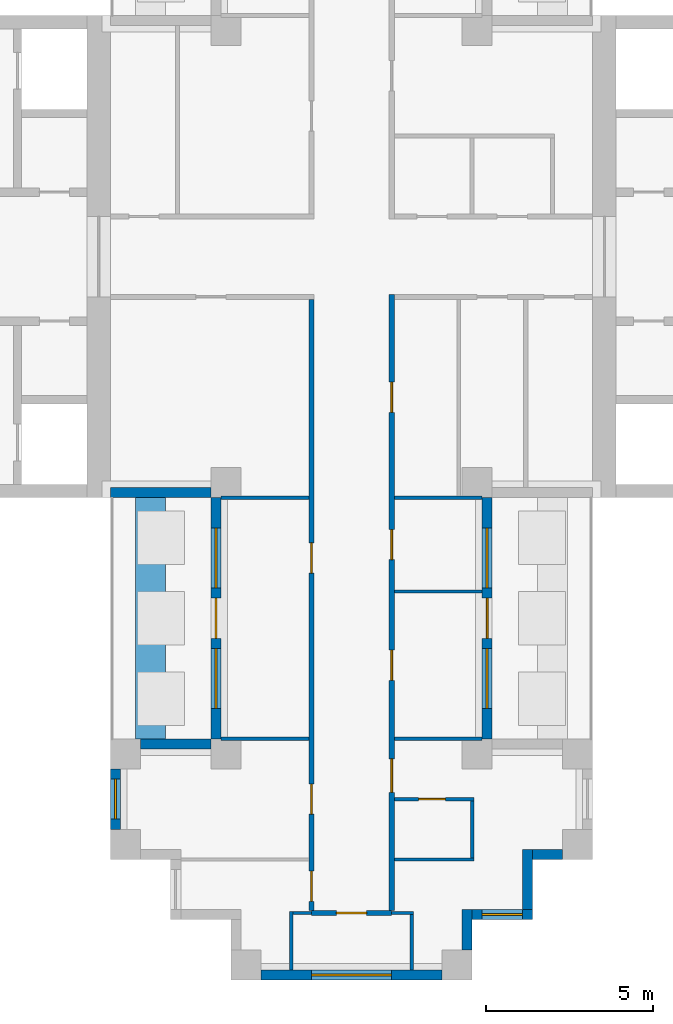
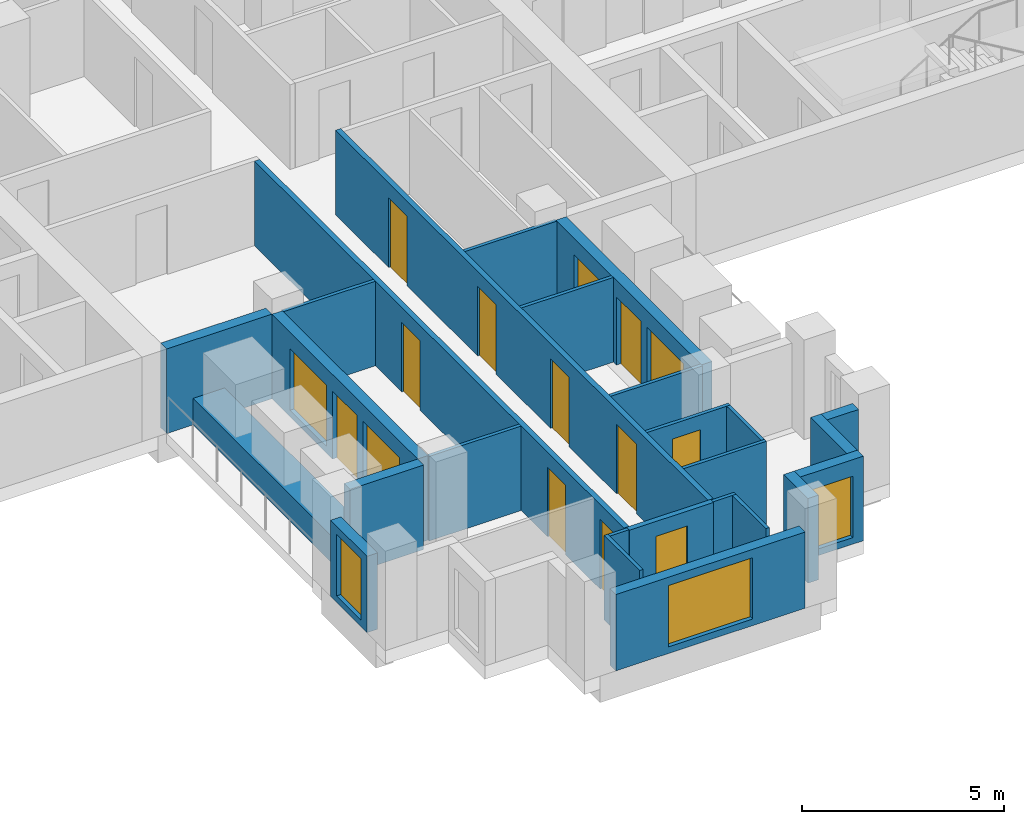
# One storey, part 4 of 10: 26 walls, 11 doors, 7 windows, 18 openings.
"""IFC4 building model written with IfcOpenShell, lengths in metres."""

from ifc_helpers import new_model, si_unit, direction, frame, frame_2d, origin, place, context, subcontext, project, spatial, rectangle, extrude, material, layer, layer_set, type_object, element, fill, save


model = new_model("IFC4")

# Units and contexts
model_context = context("Model", 3, precision=1e-05, world=origin(), true_north=direction((0.0, 1.0)))
body_context = subcontext(model_context, "Body", "Model", "MODEL_VIEW")
ifc_project = project(units=[si_unit("LENGTHUNIT", "METRE"), si_unit("AREAUNIT", "SQUARE_METRE"), si_unit("VOLUMEUNIT", "CUBIC_METRE"), si_unit("PLANEANGLEUNIT", "RADIAN"), si_unit("MASSUNIT", "GRAM", prefix="KILO")], contexts=[model_context])

# Site, building, storey
site_placement = place(None, origin())
site = spatial("IfcSite", under=ifc_project, at=site_placement, CompositionType="ELEMENT")
building_placement = place(site_placement, origin())
building = spatial("IfcBuilding", under=site, at=building_placement, Name="Fustian Cross Tower", CompositionType="ELEMENT")
storey_placement = place(building_placement, frame((0.0, 0.0, 191.699951171875)))
storey = spatial("IfcBuildingStorey", under=building, at=storey_placement, Name="L60", CompositionType="ELEMENT", Elevation=191.699951171875)

# Wall, openings, doors
ifc_material_1 = material(Name="Plasterboard on steel stud", Category="steel")
ifc_layer_1 = layer(ifc_material_1, 0.14990234375)
ifc_layer_set_1 = layer_set([ifc_layer_1], Name="Plasterboard on steel stud")
wall_type_1 = type_object("IfcWallType", Name="COMPARTMENT WALL 150 EI 60", PredefinedType="PARTITIONING", material=ifc_layer_set_1)
wall_1_placement = place(storey_placement, frame((-1.199951171875, -19.52490234375, 0.0), z_axis=(0.0, 0.0, 1.0), x_axis=(0.0, 1.0, 0.0)))
wall_1 = element("IfcWall", 1, at=wall_1_placement, inside=storey, type_object=wall_type_1, Name="Partition 27", PredefinedType="PARTITIONING", context=body_context, shape_type="SweptSolid", body=[
    extrude(rectangle(XDim=18.25, YDim=0.14990234375, at=frame_2d((9.125, 0.0))), origin(), (0.0, 0.0, 1.0), 2.550048828125),
])
opening_1_placement = place(wall_1_placement, frame((10.074951171875, 0.0, 0.0)))
opening_1 = element("IfcOpeningElement", 2, at=opening_1_placement, cuts=wall_1, Name="Opening D27037", PredefinedType="OPENING", context=body_context, shape_type="SweptSolid", body=[
    extrude(rectangle(XDim=0.89990234375, YDim=2.10009765625, at=frame_2d((0.449951171875, 1.050048828125))), frame((0.0, 0.0849609375, 0.0), z_axis=(0.0, -1.0, 0.0), x_axis=(1.0, 0.0, 0.0)), (0.0, 0.0, 1.0), 0.169921875),
])
opening_2_placement = place(wall_1_placement, frame((2.875, 0.0, 0.0)))
opening_2 = element("IfcOpeningElement", 3, at=opening_2_placement, cuts=wall_1, Name="Opening D27038", PredefinedType="OPENING", context=body_context, shape_type="SweptSolid", body=[
    extrude(rectangle(XDim=0.89990234375, YDim=2.10009765625, at=frame_2d((0.449951171875, 1.050048828125))), frame((0.0, 0.0849609375, 0.0), z_axis=(0.0, -1.0, 0.0), x_axis=(1.0, 0.0, 0.0)), (0.0, 0.0, 1.0), 0.169921875),
])
opening_3_placement = place(wall_1_placement, frame((0.27490234375, 0.0, 0.0)))
opening_3 = element("IfcOpeningElement", 4, at=opening_3_placement, cuts=wall_1, Name="Opening D27039", PredefinedType="OPENING", context=body_context, shape_type="SweptSolid", body=[
    extrude(rectangle(XDim=0.89990234375, YDim=2.10009765625, at=frame_2d((0.449951171875, 1.050048828125))), frame((0.0, 0.0849609375, 0.0), z_axis=(0.0, -1.0, 0.0), x_axis=(1.0, 0.0, 0.0)), (0.0, 0.0, 1.0), 0.169921875),
])
ifc_material_2 = material(Name="Timber fire door set", Category="wood")
door_type_1 = type_object("IfcDoorType", Name="FIRE SWING DOOR 900 FD30S", OperationType="SINGLE_SWING_LEFT", PredefinedType="DOOR", material=ifc_material_2)
door_1_placement = place(opening_1_placement, origin())
door_1 = element("IfcDoor", 5, at=door_1_placement, inside=storey, type_object=door_type_1, Name="Door D27037", OperationType="SINGLE_SWING_RIGHT", OverallHeight=2.10009765625, OverallWidth=0.89990234375, PredefinedType="DOOR", context=body_context, shape_type="SweptSolid", body=[
    extrude(rectangle(XDim=0.89990234375, YDim=2.10009765625, at=frame_2d((0.449951171875, 1.050048828125))), frame((0.0, 0.02490234375, 0.0), z_axis=(0.0, -1.0, 0.0), x_axis=(1.0, 0.0, 0.0)), (0.0, 0.0, 1.0), 0.050048828125),
])
fill(opening_1, door_1)
door_2_placement = place(opening_2_placement, origin())
door_2 = element("IfcDoor", 6, at=door_2_placement, inside=storey, type_object=door_type_1, Name="Door D27038", OperationType="SINGLE_SWING_LEFT", OverallHeight=2.10009765625, OverallWidth=0.89990234375, PredefinedType="DOOR", context=body_context, shape_type="SweptSolid", body=[
    extrude(rectangle(XDim=0.89990234375, YDim=2.10009765625, at=frame_2d((0.449951171875, 1.050048828125))), frame((0.0, 0.02490234375, 0.0), z_axis=(0.0, -1.0, 0.0), x_axis=(1.0, 0.0, 0.0)), (0.0, 0.0, 1.0), 0.050048828125),
])
fill(opening_2, door_2)
door_3_placement = place(opening_3_placement, origin())
door_3 = element("IfcDoor", 7, at=door_3_placement, inside=storey, type_object=door_type_1, Name="Door D27039", OperationType="SINGLE_SWING_LEFT", OverallHeight=2.10009765625, OverallWidth=0.89990234375, PredefinedType="DOOR", context=body_context, shape_type="SweptSolid", body=[
    extrude(rectangle(XDim=0.89990234375, YDim=2.10009765625, at=frame_2d((0.449951171875, 1.050048828125))), frame((0.0, 0.02490234375, 0.0), z_axis=(0.0, -1.0, 0.0), x_axis=(1.0, 0.0, 0.0)), (0.0, 0.0, 1.0), 0.050048828125),
])
fill(opening_3, door_3)

# Wall, opening, door
wall_2_placement = place(storey_placement, frame((-1.199951171875, -19.60009765625, 0.0), z_axis=(0.0, 0.0, 1.0), x_axis=(1.0, 0.0, 0.0)))
wall_2 = element("IfcWall", 8, at=wall_2_placement, inside=storey, type_object=wall_type_1, Name="Partition 28", PredefinedType="PARTITIONING", context=body_context, shape_type="SweptSolid", body=[
    extrude(rectangle(XDim=2.39990234375, YDim=0.14990234375, at=frame_2d((1.199951171875, 0.0))), origin(), (0.0, 0.0, 1.0), 2.550048828125),
])
opening_4_placement = place(wall_2_placement, frame((0.75, 0.0, 0.0)))
opening_4 = element("IfcOpeningElement", 9, at=opening_4_placement, cuts=wall_2, Name="Opening D27032", PredefinedType="OPENING", context=body_context, shape_type="SweptSolid", body=[
    extrude(rectangle(XDim=0.89990234375, YDim=2.10009765625, at=frame_2d((0.449951171875, 1.050048828125))), frame((0.0, 0.0849609375, 0.0), z_axis=(0.0, -1.0, 0.0), x_axis=(1.0, 0.0, 0.0)), (0.0, 0.0, 1.0), 0.169921875),
])
door_4_placement = place(opening_4_placement, frame((0.89990234375, 0.0, 0.0), z_axis=(0.0, 0.0, 1.0), x_axis=(-1.0, 0.0, 0.0)))
door_4 = element("IfcDoor", 10, at=door_4_placement, inside=storey, type_object=door_type_1, Name="Door D27032", OperationType="SINGLE_SWING_RIGHT", OverallHeight=2.10009765625, OverallWidth=0.89990234375, PredefinedType="DOOR", context=body_context, shape_type="SweptSolid", body=[
    extrude(rectangle(XDim=0.89990234375, YDim=2.10009765625, at=frame_2d((0.449951171875, 1.050048828125))), frame((0.0, 0.02490234375, 0.0), z_axis=(0.0, -1.0, 0.0), x_axis=(1.0, 0.0, 0.0)), (0.0, 0.0, 1.0), 0.050048828125),
])
fill(opening_4, door_4)

# Wall, openings, doors
wall_3_placement = place(storey_placement, frame((1.199951171875, -19.52490234375, 0.0), z_axis=(0.0, 0.0, 1.0), x_axis=(0.0, 1.0, 0.0)))
wall_3 = element("IfcWall", 11, at=wall_3_placement, inside=storey, type_object=wall_type_1, Name="Partition 31", PredefinedType="PARTITIONING", context=body_context, shape_type="SweptSolid", body=[
    extrude(rectangle(XDim=18.39990234375, YDim=0.14990234375, at=frame_2d((9.199951171875, 0.0))), origin(), (0.0, 0.0, 1.0), 2.550048828125),
])
opening_5_placement = place(wall_3_placement, frame((14.875, 0.0, 0.0)))
opening_5 = element("IfcOpeningElement", 12, at=opening_5_placement, cuts=wall_3, Name="Opening D27006", PredefinedType="OPENING", context=body_context, shape_type="SweptSolid", body=[
    extrude(rectangle(XDim=0.89990234375, YDim=2.10009765625, at=frame_2d((0.449951171875, 1.050048828125))), frame((0.0, 0.0849609375, 0.0), z_axis=(0.0, -1.0, 0.0), x_axis=(1.0, 0.0, 0.0)), (0.0, 0.0, 1.0), 0.169921875),
])
opening_6_placement = place(wall_3_placement, frame((10.47509765625, 0.0, 0.0)))
opening_6 = element("IfcOpeningElement", 13, at=opening_6_placement, cuts=wall_3, Name="Opening D27033", PredefinedType="OPENING", context=body_context, shape_type="SweptSolid", body=[
    extrude(rectangle(XDim=0.89990234375, YDim=2.10009765625, at=frame_2d((0.449951171875, 1.050048828125))), frame((0.0, 0.0849609375, 0.0), z_axis=(0.0, -1.0, 0.0), x_axis=(1.0, 0.0, 0.0)), (0.0, 0.0, 1.0), 0.169921875),
])
opening_7_placement = place(wall_3_placement, frame((6.875, 0.0, 0.0)))
opening_7 = element("IfcOpeningElement", 14, at=opening_7_placement, cuts=wall_3, Name="Opening D27034", PredefinedType="OPENING", context=body_context, shape_type="SweptSolid", body=[
    extrude(rectangle(XDim=0.89990234375, YDim=2.10009765625, at=frame_2d((0.449951171875, 1.050048828125))), frame((0.0, 0.0849609375, 0.0), z_axis=(0.0, -1.0, 0.0), x_axis=(1.0, 0.0, 0.0)), (0.0, 0.0, 1.0), 0.169921875),
])
opening_8_placement = place(wall_3_placement, frame((3.52490234375, 0.0, 0.0)))
opening_8 = element("IfcOpeningElement", 15, at=opening_8_placement, cuts=wall_3, Name="Opening D27036", PredefinedType="OPENING", context=body_context, shape_type="SweptSolid", body=[
    extrude(rectangle(XDim=1.0, YDim=2.10009765625, at=frame_2d((0.5, 1.050048828125))), frame((0.0, 0.0849609375, 0.0), z_axis=(0.0, -1.0, 0.0), x_axis=(1.0, 0.0, 0.0)), (0.0, 0.0, 1.0), 0.169921875),
])
ifc_material_3 = material(Name="Timber fire door set", Category="wood")
door_type_2 = type_object("IfcDoorType", Name="FIRE SWING DOOR 1000 FD30S", OperationType="SINGLE_SWING_LEFT", PredefinedType="DOOR", material=ifc_material_3)
door_5_placement = place(opening_8_placement, frame((1.0, 0.0, 0.0), z_axis=(0.0, 0.0, 1.0), x_axis=(-1.0, 0.0, 0.0)))
door_5 = element("IfcDoor", 16, at=door_5_placement, inside=storey, type_object=door_type_2, Name="Door D27036", OperationType="SINGLE_SWING_RIGHT", OverallHeight=2.10009765625, OverallWidth=1.0, PredefinedType="DOOR", context=body_context, shape_type="SweptSolid", body=[
    extrude(rectangle(XDim=1.0, YDim=2.10009765625, at=frame_2d((0.5, 1.050048828125))), frame((0.0, 0.02490234375, 0.0), z_axis=(0.0, -1.0, 0.0), x_axis=(1.0, 0.0, 0.0)), (0.0, 0.0, 1.0), 0.050048828125),
])
fill(opening_8, door_5)
door_6_placement = place(opening_5_placement, frame((0.89990234375, 0.0, 0.0), z_axis=(0.0, 0.0, 1.0), x_axis=(-1.0, 0.0, 0.0)))
door_6 = element("IfcDoor", 17, at=door_6_placement, inside=storey, type_object=door_type_1, Name="Door D27006", OperationType="SINGLE_SWING_RIGHT", OverallHeight=2.10009765625, OverallWidth=0.89990234375, PredefinedType="DOOR", context=body_context, shape_type="SweptSolid", body=[
    extrude(rectangle(XDim=0.89990234375, YDim=2.10009765625, at=frame_2d((0.449951171875, 1.050048828125))), frame((0.0, 0.02490234375, 0.0), z_axis=(0.0, -1.0, 0.0), x_axis=(1.0, 0.0, 0.0)), (0.0, 0.0, 1.0), 0.050048828125),
])
fill(opening_5, door_6)
door_7_placement = place(opening_6_placement, frame((0.89990234375, 0.0, 0.0), z_axis=(0.0, 0.0, 1.0), x_axis=(-1.0, 0.0, 0.0)))
door_7 = element("IfcDoor", 18, at=door_7_placement, inside=storey, type_object=door_type_1, Name="Door D27033", OperationType="SINGLE_SWING_RIGHT", OverallHeight=2.10009765625, OverallWidth=0.89990234375, PredefinedType="DOOR", context=body_context, shape_type="SweptSolid", body=[
    extrude(rectangle(XDim=0.89990234375, YDim=2.10009765625, at=frame_2d((0.449951171875, 1.050048828125))), frame((0.0, 0.02490234375, 0.0), z_axis=(0.0, -1.0, 0.0), x_axis=(1.0, 0.0, 0.0)), (0.0, 0.0, 1.0), 0.050048828125),
])
fill(opening_6, door_7)
door_8_placement = place(opening_7_placement, frame((0.89990234375, 0.0, 0.0), z_axis=(0.0, 0.0, 1.0), x_axis=(-1.0, 0.0, 0.0)))
door_8 = element("IfcDoor", 19, at=door_8_placement, inside=storey, type_object=door_type_1, Name="Door D27034", OperationType="SINGLE_SWING_RIGHT", OverallHeight=2.10009765625, OverallWidth=0.89990234375, PredefinedType="DOOR", context=body_context, shape_type="SweptSolid", body=[
    extrude(rectangle(XDim=0.89990234375, YDim=2.10009765625, at=frame_2d((0.449951171875, 1.050048828125))), frame((0.0, 0.02490234375, 0.0), z_axis=(0.0, -1.0, 0.0), x_axis=(1.0, 0.0, 0.0)), (0.0, 0.0, 1.0), 0.050048828125),
])
fill(opening_7, door_8)

# Walls
ifc_material_4 = material(Name="Plasterboard on steel stud", Category="steel")
ifc_layer_2 = layer(ifc_material_4, 0.10009765625)
ifc_layer_set_2 = layer_set([ifc_layer_2], Name="Plasterboard on steel stud")
wall_type_2 = type_object("IfcWallType", Name="PARTITION 100 STUD", PredefinedType="PARTITIONING", material=ifc_layer_set_2)
for number, where, z_axis, x_axis, name in (
    (20, (-3.89990234375, -14.39990234375, 0.0), (0.0, 0.0, 1.0), (1.0, 0.0, 0.0), "Partition 19"),
    (21, (-3.89990234375, -7.199951171875, 0.0), (0.0, 0.0, 1.0), (1.0, 0.0, 0.0), "Partition 20"),
):
    element("IfcWall", number, at=place(storey_placement, frame(where, z_axis=z_axis, x_axis=x_axis)), inside=storey, type_object=wall_type_2, Name=name, PredefinedType="PARTITIONING", context=body_context, shape_type="SweptSolid", body=[
        extrude(rectangle(XDim=2.625, YDim=0.10009765625, at=frame_2d((1.3125, 0.0))), origin(), (0.0, 0.0, 1.0), 2.550048828125),
    ])
wall_4_placement = place(storey_placement, frame((-1.800048828125, -21.300048828125, 0.0), z_axis=(0.0, 0.0, 1.0), x_axis=(0.0, 1.0, 0.0)))
element("IfcWall", 22, at=wall_4_placement, inside=storey, type_object=wall_type_2, Name="Partition 23", PredefinedType="PARTITIONING", context=body_context, shape_type="SweptSolid", body=[
    extrude(rectangle(XDim=1.75, YDim=0.10009765625, at=frame_2d((0.875, 0.0))), origin(), (0.0, 0.0, 1.0), 2.550048828125),
])
wall_5_placement = place(storey_placement, frame((-1.75, -19.60009765625, 0.0), z_axis=(0.0, 0.0, 1.0), x_axis=(1.0, 0.0, 0.0)))
element("IfcWall", 23, at=wall_5_placement, inside=storey, type_object=wall_type_2, Name="Partition 24", PredefinedType="PARTITIONING", context=body_context, shape_type="SweptSolid", body=[
    extrude(rectangle(XDim=0.550048828125, YDim=0.10009765625, at=frame_2d((0.27490234375, 0.0))), origin(), (0.0, 0.0, 1.0), 2.550048828125),
])
wall_6_placement = place(storey_placement, frame((1.199951171875, -19.60009765625, 0.0), z_axis=(0.0, 0.0, 1.0), x_axis=(1.0, 0.0, 0.0)))
element("IfcWall", 24, at=wall_6_placement, inside=storey, type_object=wall_type_2, Name="Partition 32", PredefinedType="PARTITIONING", context=body_context, shape_type="SweptSolid", body=[
    extrude(rectangle(XDim=0.650146484375, YDim=0.10009765625, at=frame_2d((0.3251953125, 0.0))), origin(), (0.0, 0.0, 1.0), 2.550048828125),
])
wall_7_placement = place(storey_placement, frame((1.27490234375, -18.0, 0.0), z_axis=(0.0, 0.0, 1.0), x_axis=(1.0, 0.0, 0.0)))
element("IfcWall", 25, at=wall_7_placement, inside=storey, type_object=wall_type_2, Name="Partition 33", PredefinedType="PARTITIONING", context=body_context, shape_type="SweptSolid", body=[
    extrude(rectangle(XDim=2.375, YDim=0.10009765625, at=frame_2d((1.1875, 0.0))), origin(), (0.0, 0.0, 1.0), 2.550048828125),
])

# Wall, opening, door
wall_8_placement = place(storey_placement, frame((1.27490234375, -16.199951171875, 0.0), z_axis=(0.0, 0.0, 1.0), x_axis=(1.0, 0.0, 0.0)))
wall_8 = element("IfcWall", 26, at=wall_8_placement, inside=storey, type_object=wall_type_2, Name="Partition 34", PredefinedType="PARTITIONING", context=body_context, shape_type="SweptSolid", body=[
    extrude(rectangle(XDim=2.375, YDim=0.10009765625, at=frame_2d((1.1875, 0.0))), origin(), (0.0, 0.0, 1.0), 2.550048828125),
])
opening_9_placement = place(wall_8_placement, frame((0.72509765625, 0.0, 0.0)))
opening_9 = element("IfcOpeningElement", 27, at=opening_9_placement, cuts=wall_8, Name="Opening D27035", PredefinedType="OPENING", context=body_context, shape_type="SweptSolid", body=[
    extrude(rectangle(XDim=0.800048828125, YDim=2.10009765625, at=frame_2d((0.39990234375, 1.050048828125))), frame((0.0, 0.06005859375, 0.0), z_axis=(0.0, -1.0, 0.0), x_axis=(1.0, 0.0, 0.0)), (0.0, 0.0, 1.0), 0.1201171875),
])
ifc_material_5 = material(Name="Painted timber", Category="wood")
door_type_3 = type_object("IfcDoorType", Name="SWING DOOR 800", OperationType="SINGLE_SWING_LEFT", PredefinedType="DOOR", material=ifc_material_5)
door_9_placement = place(opening_9_placement, frame((0.800048828125, 0.0, 0.0), z_axis=(0.0, 0.0, 1.0), x_axis=(-1.0, 0.0, 0.0)))
door_9 = element("IfcDoor", 28, at=door_9_placement, inside=storey, type_object=door_type_3, Name="Door D27035", OperationType="SINGLE_SWING_RIGHT", OverallHeight=2.10009765625, OverallWidth=0.800048828125, PredefinedType="DOOR", context=body_context, shape_type="SweptSolid", body=[
    extrude(rectangle(XDim=0.800048828125, YDim=2.10009765625, at=frame_2d((0.39990234375, 1.050048828125))), frame((0.0, 0.02490234375, 0.0), z_axis=(0.0, -1.0, 0.0), x_axis=(1.0, 0.0, 0.0)), (0.0, 0.0, 1.0), 0.050048828125),
])
fill(opening_9, door_9)

# Walls
for number, where, z_axis, x_axis, name in (
    (29, (1.27490234375, -14.39990234375, 0.0), (0.0, 0.0, 1.0), (1.0, 0.0, 0.0), "Partition 35"),
    (30, (1.27490234375, -10.0, 0.0), (0.0, 0.0, 1.0), (1.0, 0.0, 0.0), "Partition 36"),
    (31, (1.27490234375, -7.199951171875, 0.0), (0.0, 0.0, 1.0), (1.0, 0.0, 0.0), "Partition 37"),
):
    element("IfcWall", number, at=place(storey_placement, frame(where, z_axis=z_axis, x_axis=x_axis)), inside=storey, type_object=wall_type_2, Name=name, PredefinedType="PARTITIONING", context=body_context, shape_type="SweptSolid", body=[
        extrude(rectangle(XDim=2.625, YDim=0.10009765625, at=frame_2d((1.3125, 0.0))), origin(), (0.0, 0.0, 1.0), 2.550048828125),
    ])
wall_9_placement = place(storey_placement, frame((1.800048828125, -21.300048828125, 0.0), z_axis=(0.0, 0.0, 1.0), x_axis=(0.0, 1.0, 0.0)))
element("IfcWall", 32, at=wall_9_placement, inside=storey, type_object=wall_type_2, Name="Partition 47", PredefinedType="PARTITIONING", context=body_context, shape_type="SweptSolid", body=[
    extrude(rectangle(XDim=1.650146484375, YDim=0.10009765625, at=frame_2d((0.8251953125, 0.0))), origin(), (0.0, 0.0, 1.0), 2.550048828125),
])
wall_10_placement = place(storey_placement, frame((3.60009765625, -17.949951171875, 0.0), z_axis=(0.0, 0.0, 1.0), x_axis=(0.0, 1.0, 0.0)))
element("IfcWall", 33, at=wall_10_placement, inside=storey, type_object=wall_type_2, Name="Partition 50", PredefinedType="PARTITIONING", context=body_context, shape_type="SweptSolid", body=[
    extrude(rectangle(XDim=1.699951171875, YDim=0.10009765625, at=frame_2d((0.85009765625, 0.0))), origin(), (0.0, 0.0, 1.0), 2.550048828125),
])
ifc_material_6 = material(Name="Concrete C40/50", Category="concrete")
ifc_layer_3 = layer(ifc_material_6, 0.89990234375)
ifc_layer_set_3 = layer_set([ifc_layer_3], Name="Concrete C40/50")
wall_type_3 = type_object("IfcWallType", Name="PK1 PLANTER 900", PredefinedType="PARAPET", material=ifc_layer_set_3)
wall_11_placement = place(storey_placement, frame((-6.0, -14.39990234375, 0.0), z_axis=(0.0, 0.0, 1.0), x_axis=(0.0, 1.0, 0.0)))
element("IfcWall", 34, at=wall_11_placement, inside=storey, type_object=wall_type_3, Name="PLANTER", PredefinedType="PARAPET", context=body_context, shape_type="SweptSolid", body=[
    extrude(rectangle(XDim=7.199951171875, YDim=0.89990234375, at=frame_2d((3.60009765625, 0.0))), origin(), (0.0, 0.0, 1.0), 0.800048828125),
])
ifc_material_7 = material(Name="Dark aluminium cladding on insulated backing wall", Category="aluminium")
ifc_layer_4 = layer(ifc_material_7, 0.300048828125)
ifc_layer_set_4 = layer_set([ifc_layer_4], Name="Dark aluminium cladding on insulated backing wall")
wall_type_4 = type_object("IfcWallType", Name="XW1 EXTERNAL WALL 300", PredefinedType="SOLIDWALL", material=ifc_layer_set_4)
wall_12_placement = place(storey_placement, frame((-7.199951171875, -7.050048828125, 0.0), z_axis=(0.0, 0.0, 1.0), x_axis=(1.0, 0.0, 0.0)))
element("IfcWall", 35, at=wall_12_placement, inside=storey, type_object=wall_type_4, Name="External wall", PredefinedType="SOLIDWALL", context=body_context, shape_type="SweptSolid", body=[
    extrude(rectangle(XDim=3.0, YDim=0.300048828125, at=frame_2d((1.5, 0.0))), origin(), (0.0, 0.0, 1.0), 2.550048828125),
])

# Wall, openings, door, windows
wall_13_placement = place(storey_placement, frame((-4.050048828125, -7.199951171875, 0.0), z_axis=(0.0, 0.0, 1.0), x_axis=(0.0, -1.0, 0.0)))
wall_13 = element("IfcWall", 36, at=wall_13_placement, inside=storey, type_object=wall_type_4, Name="External wall", PredefinedType="SOLIDWALL", context=body_context, shape_type="SweptSolid", body=[
    extrude(rectangle(XDim=7.199951171875, YDim=0.300048828125, at=frame_2d((3.60009765625, 0.0))), origin(), (0.0, 0.0, 1.0), 2.550048828125),
])
opening_10_placement = place(wall_13_placement, frame((3.0, 0.0, 0.0)))
opening_10 = element("IfcOpeningElement", 37, at=opening_10_placement, cuts=wall_13, Name="Opening XD4", PredefinedType="OPENING", context=body_context, shape_type="SweptSolid", body=[
    extrude(rectangle(XDim=1.199951171875, YDim=2.050048828125, at=frame_2d((0.60009765625, 1.02490234375))), frame((0.0, 0.159912109375, 0.0), z_axis=(0.0, -1.0, 0.0), x_axis=(1.0, 0.0, 0.0)), (0.0, 0.0, 1.0), 0.320068359375),
])
opening_11_placement = place(wall_13_placement, frame((0.89990234375, 0.0, 0.199951171875)))
opening_11 = element("IfcOpeningElement", 38, at=opening_11_placement, cuts=wall_13, Name="Opening WN2", PredefinedType="OPENING", context=body_context, shape_type="SweptSolid", body=[
    extrude(rectangle(XDim=1.800048828125, YDim=1.85009765625, at=frame_2d((0.89990234375, 0.925048828125))), frame((0.0, 0.159912109375, 0.0), z_axis=(0.0, -1.0, 0.0), x_axis=(1.0, 0.0, 0.0)), (0.0, 0.0, 1.0), 0.320068359375),
])
opening_12_placement = place(wall_13_placement, frame((4.5, 0.0, 0.199951171875)))
opening_12 = element("IfcOpeningElement", 39, at=opening_12_placement, cuts=wall_13, Name="Opening WN2", PredefinedType="OPENING", context=body_context, shape_type="SweptSolid", body=[
    extrude(rectangle(XDim=1.800048828125, YDim=1.85009765625, at=frame_2d((0.89990234375, 0.925048828125))), frame((0.0, 0.159912109375, 0.0), z_axis=(0.0, -1.0, 0.0), x_axis=(1.0, 0.0, 0.0)), (0.0, 0.0, 1.0), 0.320068359375),
])
ifc_material_8 = material(Name="Dark anodised aluminium and double glazing", Category="aluminium")
door_type_4 = type_object("IfcDoorType", Name="ED1 BALCONY DOOR 1200X2050", OperationType="SINGLE_SWING_LEFT", PredefinedType="DOOR", material=ifc_material_8)
door_10_placement = place(opening_10_placement, origin())
door_10 = element("IfcDoor", 40, at=door_10_placement, inside=storey, type_object=door_type_4, Name="Balcony door", OperationType="SINGLE_SWING_LEFT", OverallHeight=2.050048828125, OverallWidth=1.199951171875, PredefinedType="DOOR", context=body_context, shape_type="SweptSolid", body=[
    extrude(rectangle(XDim=1.199951171875, YDim=2.050048828125, at=frame_2d((0.60009765625, 1.02490234375))), frame((0.0, 0.02490234375, 0.0), z_axis=(0.0, -1.0, 0.0), x_axis=(1.0, 0.0, 0.0)), (0.0, 0.0, 1.0), 0.050048828125),
])
fill(opening_10, door_10)
ifc_material_9 = material(Name="Dark anodised aluminium and double glazing", Category="aluminium")
window_type_1 = type_object("IfcWindowType", Name="WN2 WINDOW 1800X1850", PartitioningType="SINGLE_PANEL", PredefinedType="WINDOW", material=ifc_material_9)
window_1_placement = place(opening_11_placement, origin())
window_1 = element("IfcWindow", 41, at=window_1_placement, inside=storey, type_object=window_type_1, Name="Window", OverallHeight=1.85009765625, OverallWidth=1.800048828125, PartitioningType="SINGLE_PANEL", PredefinedType="WINDOW", context=body_context, shape_type="SweptSolid", body=[
    extrude(rectangle(XDim=1.800048828125, YDim=1.85009765625, at=frame_2d((0.89990234375, 0.925048828125))), frame((0.0, 0.030029296875, 0.0), z_axis=(0.0, -1.0, 0.0), x_axis=(1.0, 0.0, 0.0)), (0.0, 0.0, 1.0), 0.06005859375),
])
fill(opening_11, window_1)
window_2_placement = place(opening_12_placement, origin())
window_2 = element("IfcWindow", 42, at=window_2_placement, inside=storey, type_object=window_type_1, Name="Window", OverallHeight=1.85009765625, OverallWidth=1.800048828125, PartitioningType="SINGLE_PANEL", PredefinedType="WINDOW", context=body_context, shape_type="SweptSolid", body=[
    extrude(rectangle(XDim=1.800048828125, YDim=1.85009765625, at=frame_2d((0.89990234375, 0.925048828125))), frame((0.0, 0.030029296875, 0.0), z_axis=(0.0, -1.0, 0.0), x_axis=(1.0, 0.0, 0.0)), (0.0, 0.0, 1.0), 0.06005859375),
])
fill(opening_12, window_2)

# Wall
wall_14_placement = place(storey_placement, frame((-4.199951171875, -14.550048828125, 0.0), z_axis=(0.0, 0.0, 1.0), x_axis=(-1.0, 0.0, 0.0)))
element("IfcWall", 43, at=wall_14_placement, inside=storey, type_object=wall_type_4, Name="External wall", PredefinedType="SOLIDWALL", context=body_context, shape_type="SweptSolid", body=[
    extrude(rectangle(XDim=2.10009765625, YDim=0.300048828125, at=frame_2d((1.050048828125, 0.0))), origin(), (0.0, 0.0, 1.0), 2.550048828125),
])

# Wall, opening, window
wall_15_placement = place(storey_placement, frame((-7.050048828125, -15.300048828125, 0.0), z_axis=(0.0, 0.0, 1.0), x_axis=(0.0, -1.0, 0.0)))
wall_15 = element("IfcWall", 44, at=wall_15_placement, inside=storey, type_object=wall_type_4, Name="External wall", PredefinedType="SOLIDWALL", context=body_context, shape_type="SweptSolid", body=[
    extrude(rectangle(XDim=1.800048828125, YDim=0.300048828125, at=frame_2d((0.89990234375, 0.0))), origin(), (0.0, 0.0, 1.0), 2.300048828125),
])
opening_13_placement = place(wall_15_placement, frame((0.300048828125, 0.0, 0.199951171875)))
opening_13 = element("IfcOpeningElement", 45, at=opening_13_placement, cuts=wall_15, Name="Opening WN3", PredefinedType="OPENING", context=body_context, shape_type="SweptSolid", body=[
    extrude(rectangle(XDim=1.199951171875, YDim=1.85009765625, at=frame_2d((0.60009765625, 0.925048828125))), frame((0.0, 0.159912109375, 0.0), z_axis=(0.0, -1.0, 0.0), x_axis=(1.0, 0.0, 0.0)), (0.0, 0.0, 1.0), 0.320068359375),
])
ifc_material_10 = material(Name="Dark anodised aluminium and double glazing", Category="aluminium")
window_type_2 = type_object("IfcWindowType", Name="WN3 WINDOW 1200X1850", PartitioningType="SINGLE_PANEL", PredefinedType="WINDOW", material=ifc_material_10)
window_3_placement = place(opening_13_placement, origin())
window_3 = element("IfcWindow", 46, at=window_3_placement, inside=storey, type_object=window_type_2, Name="Window", OverallHeight=1.85009765625, OverallWidth=1.199951171875, PartitioningType="SINGLE_PANEL", PredefinedType="WINDOW", context=body_context, shape_type="SweptSolid", body=[
    extrude(rectangle(XDim=1.199951171875, YDim=1.85009765625, at=frame_2d((0.60009765625, 0.925048828125))), frame((0.0, 0.030029296875, 0.0), z_axis=(0.0, -1.0, 0.0), x_axis=(1.0, 0.0, 0.0)), (0.0, 0.0, 1.0), 0.06005859375),
])
fill(opening_13, window_3)

wall_16_placement = place(storey_placement, frame((-2.699951171875, -21.449951171875, 0.0), z_axis=(0.0, 0.0, 1.0), x_axis=(1.0, 0.0, 0.0)))
wall_16 = element("IfcWall", 47, at=wall_16_placement, inside=storey, type_object=wall_type_4, Name="External wall", PredefinedType="SOLIDWALL", context=body_context, shape_type="SweptSolid", body=[
    extrude(rectangle(XDim=5.39990234375, YDim=0.300048828125, at=frame_2d((2.699951171875, 0.0))), origin(), (0.0, 0.0, 1.0), 2.300048828125),
])
opening_14_placement = place(wall_16_placement, frame((1.5, 0.0, 0.199951171875)))
opening_14 = element("IfcOpeningElement", 48, at=opening_14_placement, cuts=wall_16, Name="Opening WN1", PredefinedType="OPENING", context=body_context, shape_type="SweptSolid", body=[
    extrude(rectangle(XDim=2.39990234375, YDim=1.85009765625, at=frame_2d((1.199951171875, 0.925048828125))), frame((0.0, 0.159912109375, 0.0), z_axis=(0.0, -1.0, 0.0), x_axis=(1.0, 0.0, 0.0)), (0.0, 0.0, 1.0), 0.320068359375),
])
ifc_material_11 = material(Name="Dark anodised aluminium and double glazing", Category="aluminium")
window_type_3 = type_object("IfcWindowType", Name="WN1 WINDOW 2400X1850", PartitioningType="SINGLE_PANEL", PredefinedType="WINDOW", material=ifc_material_11)
window_4_placement = place(opening_14_placement, origin())
window_4 = element("IfcWindow", 49, at=window_4_placement, inside=storey, type_object=window_type_3, Name="Window", OverallHeight=1.85009765625, OverallWidth=2.39990234375, PartitioningType="SINGLE_PANEL", PredefinedType="WINDOW", context=body_context, shape_type="SweptSolid", body=[
    extrude(rectangle(XDim=2.39990234375, YDim=1.85009765625, at=frame_2d((1.199951171875, 0.925048828125))), frame((0.0, 0.030029296875, 0.0), z_axis=(0.0, -1.0, 0.0), x_axis=(1.0, 0.0, 0.0)), (0.0, 0.0, 1.0), 0.06005859375),
])
fill(opening_14, window_4)

# Wall
wall_17_placement = place(storey_placement, frame((3.449951171875, -20.699951171875, 0.0), z_axis=(0.0, 0.0, 1.0), x_axis=(0.0, 1.0, 0.0)))
element("IfcWall", 50, at=wall_17_placement, inside=storey, type_object=wall_type_4, Name="External wall", PredefinedType="SOLIDWALL", context=body_context, shape_type="SweptSolid", body=[
    extrude(rectangle(XDim=1.199951171875, YDim=0.300048828125, at=frame_2d((0.60009765625, 0.0))), origin(), (0.0, 0.0, 1.0), 2.550048828125),
])

# Wall, opening, window
wall_18_placement = place(storey_placement, frame((3.60009765625, -19.64990234375, 0.0), z_axis=(0.0, 0.0, 1.0), x_axis=(1.0, 0.0, 0.0)))
wall_18 = element("IfcWall", 51, at=wall_18_placement, inside=storey, type_object=wall_type_4, Name="External wall", PredefinedType="SOLIDWALL", context=body_context, shape_type="SweptSolid", body=[
    extrude(rectangle(XDim=1.7998046875, YDim=0.300048828125, at=frame_2d((0.89990234375, 0.0))), origin(), (0.0, 0.0, 1.0), 2.550048828125),
])
opening_15_placement = place(wall_18_placement, frame((0.300048828125, 0.0, 0.199951171875)))
opening_15 = element("IfcOpeningElement", 52, at=opening_15_placement, cuts=wall_18, Name="Opening WN3", PredefinedType="OPENING", context=body_context, shape_type="SweptSolid", body=[
    extrude(rectangle(XDim=1.199951171875, YDim=1.85009765625, at=frame_2d((0.60009765625, 0.925048828125))), frame((0.0, 0.159912109375, 0.0), z_axis=(0.0, -1.0, 0.0), x_axis=(1.0, 0.0, 0.0)), (0.0, 0.0, 1.0), 0.320068359375),
])
window_5_placement = place(opening_15_placement, origin())
window_5 = element("IfcWindow", 53, at=window_5_placement, inside=storey, type_object=window_type_2, Name="Window", OverallHeight=1.85009765625, OverallWidth=1.199951171875, PartitioningType="SINGLE_PANEL", PredefinedType="WINDOW", context=body_context, shape_type="SweptSolid", body=[
    extrude(rectangle(XDim=1.199951171875, YDim=1.85009765625, at=frame_2d((0.60009765625, 0.925048828125))), frame((0.0, 0.030029296875, 0.0), z_axis=(0.0, -1.0, 0.0), x_axis=(1.0, 0.0, 0.0)), (0.0, 0.0, 1.0), 0.06005859375),
])
fill(opening_15, window_5)

# Walls
wall_19_placement = place(storey_placement, frame((5.25, -19.5, 0.0), z_axis=(0.0, 0.0, 1.0), x_axis=(0.0, 1.0, 0.0)))
element("IfcWall", 54, at=wall_19_placement, inside=storey, type_object=wall_type_4, Name="External wall", PredefinedType="SOLIDWALL", context=body_context, shape_type="SweptSolid", body=[
    extrude(rectangle(XDim=1.800048828125, YDim=0.300048828125, at=frame_2d((0.89990234375, 0.0))), origin(), (0.0, 0.0, 1.0), 2.550048828125),
])
wall_20_placement = place(storey_placement, frame((5.39990234375, -17.85009765625, 0.0), z_axis=(0.0, 0.0, 1.0), x_axis=(1.0, 0.0, 0.0)))
element("IfcWall", 55, at=wall_20_placement, inside=storey, type_object=wall_type_4, Name="External wall", PredefinedType="SOLIDWALL", context=body_context, shape_type="SweptSolid", body=[
    extrude(rectangle(XDim=0.900146484375, YDim=0.300048828125, at=frame_2d((0.4501953125, 0.0))), origin(), (0.0, 0.0, 1.0), 2.550048828125),
])

# Wall, openings, door, windows
wall_21_placement = place(storey_placement, frame((4.050048828125, -14.39990234375, 0.0), z_axis=(0.0, 0.0, 1.0), x_axis=(0.0, 1.0, 0.0)))
wall_21 = element("IfcWall", 56, at=wall_21_placement, inside=storey, type_object=wall_type_4, Name="External wall", PredefinedType="SOLIDWALL", context=body_context, shape_type="SweptSolid", body=[
    extrude(rectangle(XDim=7.199951171875, YDim=0.300048828125, at=frame_2d((3.60009765625, 0.0))), origin(), (0.0, 0.0, 1.0), 2.550048828125),
])
opening_16_placement = place(wall_21_placement, frame((3.0, 0.0, 0.0)))
opening_16 = element("IfcOpeningElement", 57, at=opening_16_placement, cuts=wall_21, Name="Opening XD3", PredefinedType="OPENING", context=body_context, shape_type="SweptSolid", body=[
    extrude(rectangle(XDim=1.199951171875, YDim=2.050048828125, at=frame_2d((0.60009765625, 1.02490234375))), frame((0.0, 0.159912109375, 0.0), z_axis=(0.0, -1.0, 0.0), x_axis=(1.0, 0.0, 0.0)), (0.0, 0.0, 1.0), 0.320068359375),
])
opening_17_placement = place(wall_21_placement, frame((0.89990234375, 0.0, 0.199951171875)))
opening_17 = element("IfcOpeningElement", 58, at=opening_17_placement, cuts=wall_21, Name="Opening WN2", PredefinedType="OPENING", context=body_context, shape_type="SweptSolid", body=[
    extrude(rectangle(XDim=1.800048828125, YDim=1.85009765625, at=frame_2d((0.89990234375, 0.925048828125))), frame((0.0, 0.159912109375, 0.0), z_axis=(0.0, -1.0, 0.0), x_axis=(1.0, 0.0, 0.0)), (0.0, 0.0, 1.0), 0.320068359375),
])
opening_18_placement = place(wall_21_placement, frame((4.5, 0.0, 0.199951171875)))
opening_18 = element("IfcOpeningElement", 59, at=opening_18_placement, cuts=wall_21, Name="Opening WN2", PredefinedType="OPENING", context=body_context, shape_type="SweptSolid", body=[
    extrude(rectangle(XDim=1.800048828125, YDim=1.85009765625, at=frame_2d((0.89990234375, 0.925048828125))), frame((0.0, 0.159912109375, 0.0), z_axis=(0.0, -1.0, 0.0), x_axis=(1.0, 0.0, 0.0)), (0.0, 0.0, 1.0), 0.320068359375),
])
door_11_placement = place(opening_16_placement, origin())
door_11 = element("IfcDoor", 60, at=door_11_placement, inside=storey, type_object=door_type_4, Name="Balcony door", OperationType="SINGLE_SWING_LEFT", OverallHeight=2.050048828125, OverallWidth=1.199951171875, PredefinedType="DOOR", context=body_context, shape_type="SweptSolid", body=[
    extrude(rectangle(XDim=1.199951171875, YDim=2.050048828125, at=frame_2d((0.60009765625, 1.02490234375))), frame((0.0, 0.02490234375, 0.0), z_axis=(0.0, -1.0, 0.0), x_axis=(1.0, 0.0, 0.0)), (0.0, 0.0, 1.0), 0.050048828125),
])
fill(opening_16, door_11)
window_6_placement = place(opening_17_placement, origin())
window_6 = element("IfcWindow", 61, at=window_6_placement, inside=storey, type_object=window_type_1, Name="Window", OverallHeight=1.85009765625, OverallWidth=1.800048828125, PartitioningType="SINGLE_PANEL", PredefinedType="WINDOW", context=body_context, shape_type="SweptSolid", body=[
    extrude(rectangle(XDim=1.800048828125, YDim=1.85009765625, at=frame_2d((0.89990234375, 0.925048828125))), frame((0.0, 0.030029296875, 0.0), z_axis=(0.0, -1.0, 0.0), x_axis=(1.0, 0.0, 0.0)), (0.0, 0.0, 1.0), 0.06005859375),
])
fill(opening_17, window_6)
window_7_placement = place(opening_18_placement, origin())
window_7 = element("IfcWindow", 62, at=window_7_placement, inside=storey, type_object=window_type_1, Name="Window", OverallHeight=1.85009765625, OverallWidth=1.800048828125, PartitioningType="SINGLE_PANEL", PredefinedType="WINDOW", context=body_context, shape_type="SweptSolid", body=[
    extrude(rectangle(XDim=1.800048828125, YDim=1.85009765625, at=frame_2d((0.89990234375, 0.925048828125))), frame((0.0, 0.030029296875, 0.0), z_axis=(0.0, -1.0, 0.0), x_axis=(1.0, 0.0, 0.0)), (0.0, 0.0, 1.0), 0.06005859375),
])
fill(opening_18, window_7)

save(model, "model.ifc")
